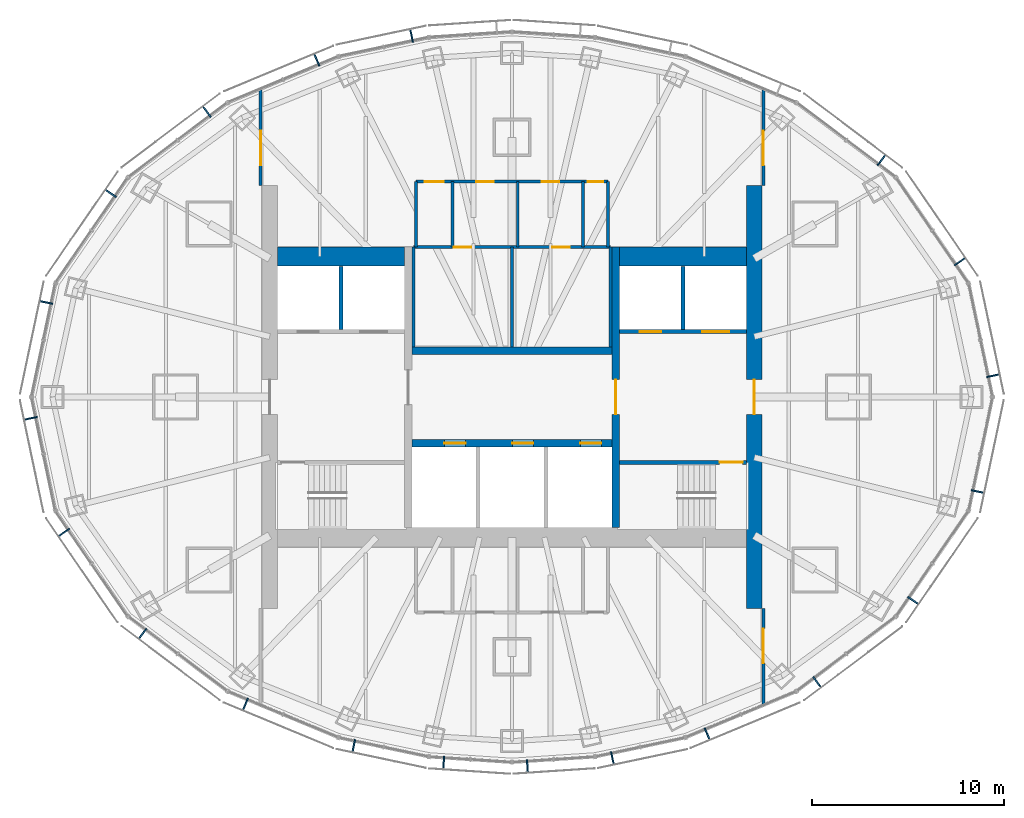
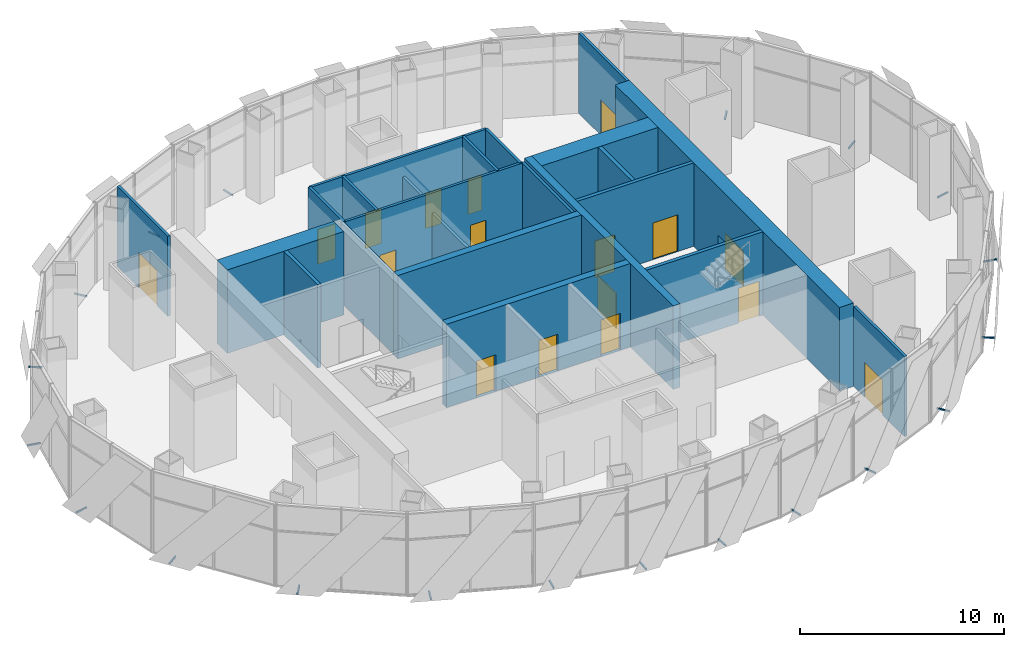
# One storey, part 12 of 17: 23 walls, 20 discrete accessories, 17 doors, 17 openings.
"""IFC4 building model written with IfcOpenShell, lengths in metres."""

from ifc_helpers import new_model, si_unit, direction, frame, frame_2d, origin, origin_2d, place, context, subcontext, project, spatial, rectangle, extrude, material, layer, layer_set, type_object, element, fill, save


model = new_model("IFC4")

# Units and contexts
model_context = context("Model", 3, precision=1e-05, world=origin(), true_north=direction((0.0, 1.0)))
body_context = subcontext(model_context, "Body", "Model", "MODEL_VIEW")
ifc_project = project(units=[si_unit("LENGTHUNIT", "METRE"), si_unit("AREAUNIT", "SQUARE_METRE"), si_unit("VOLUMEUNIT", "CUBIC_METRE"), si_unit("PLANEANGLEUNIT", "RADIAN"), si_unit("MASSUNIT", "GRAM", prefix="KILO")], contexts=[model_context])

# Site, building, storey
site_placement = place(None, origin())
site = spatial("IfcSite", under=ifc_project, at=site_placement, CompositionType="ELEMENT")
building_placement = place(site_placement, origin())
building = spatial("IfcBuilding", under=site, at=building_placement, Name="Lantaw Convention Tower", CompositionType="ELEMENT")
storey_placement = place(building_placement, frame((0.0, 0.0, 279.39990234375)))
storey = spatial("IfcBuildingStorey", under=building, at=storey_placement, Name="L65", CompositionType="ELEMENT", Elevation=279.39990234375)

# Wall, openings, doors
ifc_material_1 = material(Name="Gypsum board on steel studs", Category="steel")
ifc_layer_1 = layer(ifc_material_1, 0.14990234375)
ifc_layer_set_1 = layer_set([ifc_layer_1], Name="Back of house wall 150")
wall_type_1 = type_object("IfcWallType", Name="Back of house wall 150", PredefinedType="PARTITIONING", material=ifc_layer_set_1)
wall_1_placement = place(storey_placement, frame((-5.1201171875, 7.800048828125, 0.0), z_axis=(0.0, 0.0, 1.0), x_axis=(1.0, 0.0, 0.0)))
wall_1 = element("IfcWall", 1, at=wall_1_placement, inside=storey, type_object=wall_type_1, Name="Back of house wall 150", PredefinedType="PARTITIONING", context=body_context, shape_type="SweptSolid", body=[
    extrude(rectangle(XDim=10.240234375, YDim=0.14990234375, at=frame_2d((5.1201171875, 0.0))), origin(), (0.0, 0.0, 1.0), 4.800048828125),
])
opening_1_placement = place(wall_1_placement, frame((2.10009765625, 0.0, 0.0)))
opening_1 = element("IfcOpeningElement", 2, at=opening_1_placement, cuts=wall_1, Name="Opening L65.22", PredefinedType="OPENING", context=body_context, shape_type="SweptSolid", body=[
    extrude(rectangle(XDim=0.89990234375, YDim=2.10009765625, at=frame_2d((0.449951171875, 1.050048828125))), frame((0.0, 0.0849609375, 0.0), z_axis=(0.0, -1.0, 0.0), x_axis=(1.0, 0.0, 0.0)), (0.0, 0.0, 1.0), 0.169921875),
])
opening_2_placement = place(wall_1_placement, frame((7.219970703125, 0.0, 0.0)))
opening_2 = element("IfcOpeningElement", 3, at=opening_2_placement, cuts=wall_1, Name="Opening L65.23", PredefinedType="OPENING", context=body_context, shape_type="SweptSolid", body=[
    extrude(rectangle(XDim=0.89990234375, YDim=2.10009765625, at=frame_2d((0.449951171875, 1.050048828125))), frame((0.0, 0.0849609375, 0.0), z_axis=(0.0, -1.0, 0.0), x_axis=(1.0, 0.0, 0.0)), (0.0, 0.0, 1.0), 0.169921875),
])
ifc_material_2 = material(Name="Timber", Category="wood")
door_type_1 = type_object("IfcDoorType", Name="WC door 900", OperationType="SINGLE_SWING_LEFT", PredefinedType="DOOR", material=ifc_material_2)
door_1_placement = place(opening_1_placement, origin())
door_1 = element("IfcDoor", 4, at=door_1_placement, inside=storey, type_object=door_type_1, Name="IT and comms room door", OperationType="SINGLE_SWING_LEFT", OverallHeight=2.10009765625, OverallWidth=0.89990234375, PredefinedType="DOOR", context=body_context, shape_type="SweptSolid", body=[
    extrude(rectangle(XDim=0.89990234375, YDim=2.10009765625, at=frame_2d((0.449951171875, 1.050048828125))), frame((0.0, 0.02490234375, 0.0), z_axis=(0.0, -1.0, 0.0), x_axis=(1.0, 0.0, 0.0)), (0.0, 0.0, 1.0), 0.050048828125),
])
fill(opening_1, door_1)
door_2_placement = place(opening_2_placement, origin())
door_2 = element("IfcDoor", 5, at=door_2_placement, inside=storey, type_object=door_type_1, Name="Tenant store door", OperationType="SINGLE_SWING_LEFT", OverallHeight=2.10009765625, OverallWidth=0.89990234375, PredefinedType="DOOR", context=body_context, shape_type="SweptSolid", body=[
    extrude(rectangle(XDim=0.89990234375, YDim=2.10009765625, at=frame_2d((0.449951171875, 1.050048828125))), frame((0.0, 0.02490234375, 0.0), z_axis=(0.0, -1.0, 0.0), x_axis=(1.0, 0.0, 0.0)), (0.0, 0.0, 1.0), 0.050048828125),
])
fill(opening_2, door_2)

# Walls
for number, where, z_axis, x_axis, name in (
    (6, (-5.1201171875, 2.60009765625, 0.0), (0.0, 0.0, 1.0), (0.0, 1.0, 0.0), "Back of house wall 150"),
    (7, (5.1201171875, 2.60009765625, 0.0), (0.0, 0.0, 1.0), (0.0, 1.0, 0.0), "Back of house wall 150"),
):
    element("IfcWall", number, at=place(storey_placement, frame(where, z_axis=z_axis, x_axis=x_axis)), inside=storey, type_object=wall_type_1, Name=name, PredefinedType="PARTITIONING", context=body_context, shape_type="SweptSolid", body=[
        extrude(rectangle(XDim=5.199951171875, YDim=0.14990234375, at=frame_2d((2.60009765625, 0.0))), origin(), (0.0, 0.0, 1.0), 4.800048828125),
    ])
wall_2_placement = place(storey_placement, frame((0.0, 2.60009765625, 0.0), z_axis=(0.0, 0.0, 1.0), x_axis=(0.0, 1.0, 0.0)))
element("IfcWall", 8, at=wall_2_placement, inside=storey, type_object=wall_type_1, Name="Back of house wall 150", PredefinedType="PARTITIONING", context=body_context, shape_type="SweptSolid", body=[
    extrude(rectangle(XDim=5.199951171875, YDim=0.14990234375, at=frame_2d((2.60009765625, 0.0))), origin(), (0.0, 0.0, 1.0), 3.60009765625),
])

# Wall, opening, door
ifc_material_3 = material(Name="Gypsum board on steel studs, acoustic", Category="steel")
ifc_layer_2 = layer(ifc_material_3, 0.14990234375)
ifc_layer_set_2 = layer_set([ifc_layer_2], Name="Club partition 150")
wall_type_2 = type_object("IfcWallType", Name="Club partition 150", PredefinedType="PARTITIONING", material=ifc_layer_set_2)
wall_3_placement = place(storey_placement, frame((-13.074951171875, 11.0, 0.0), z_axis=(0.0, 0.0, 1.0), x_axis=(0.0, 1.0, 0.0)))
wall_3 = element("IfcWall", 9, at=wall_3_placement, inside=storey, type_object=wall_type_2, Name="Club partition 150", PredefinedType="PARTITIONING", context=body_context, shape_type="SweptSolid", body=[
    extrude(rectangle(XDim=4.974365234375, YDim=0.14990234375, at=frame_2d((2.4873046875, 0.0))), origin(), (0.0, 0.0, 1.0), 4.800048828125),
])
opening_3_placement = place(wall_3_placement, frame((1.042724609375, 0.0, 0.0)))
opening_3 = element("IfcOpeningElement", 10, at=opening_3_placement, cuts=wall_3, Name="Opening L65.24", PredefinedType="OPENING", context=body_context, shape_type="SweptSolid", body=[
    extrude(rectangle(XDim=1.800048828125, YDim=2.10009765625, at=frame_2d((0.89990234375, 1.050048828125))), frame((0.0, 0.0849609375, 0.0), z_axis=(0.0, -1.0, 0.0), x_axis=(1.0, 0.0, 0.0)), (0.0, 0.0, 1.0), 0.169921875),
])
door_type_2 = type_object("IfcDoorType", Name="Club double door 1800", OperationType="DOUBLE_DOOR_DOUBLE_SWING", PredefinedType="DOOR", material=ifc_material_2)
door_3_placement = place(opening_3_placement, origin())
door_3 = element("IfcDoor", 11, at=door_3_placement, inside=storey, type_object=door_type_2, Name="Door", OperationType="DOUBLE_DOOR_DOUBLE_SWING", OverallHeight=2.10009765625, OverallWidth=1.800048828125, PredefinedType="DOOR", context=body_context, shape_type="SweptSolid", body=[
    extrude(rectangle(XDim=1.800048828125, YDim=2.10009765625, at=frame_2d((0.89990234375, 1.050048828125))), frame((0.0, 0.02490234375, 0.0), z_axis=(0.0, -1.0, 0.0), x_axis=(1.0, 0.0, 0.0)), (0.0, 0.0, 1.0), 0.050048828125),
])
fill(opening_3, door_3)

wall_4_placement = place(storey_placement, frame((13.074951171875, -11.0, 0.0), z_axis=(0.0, 0.0, 1.0), x_axis=(0.0, -1.0, 0.0)))
wall_4 = element("IfcWall", 12, at=wall_4_placement, inside=storey, type_object=wall_type_2, Name="Club partition 150", PredefinedType="PARTITIONING", context=body_context, shape_type="SweptSolid", body=[
    extrude(rectangle(XDim=4.974365234375, YDim=0.14990234375, at=frame_2d((2.4873046875, 0.0))), origin(), (0.0, 0.0, 1.0), 4.800048828125),
])
opening_4_placement = place(wall_4_placement, frame((1.042724609375, 0.0, 0.0)))
opening_4 = element("IfcOpeningElement", 13, at=opening_4_placement, cuts=wall_4, Name="Opening L65.25", PredefinedType="OPENING", context=body_context, shape_type="SweptSolid", body=[
    extrude(rectangle(XDim=1.800048828125, YDim=2.10009765625, at=frame_2d((0.89990234375, 1.050048828125))), frame((0.0, 0.0849609375, 0.0), z_axis=(0.0, -1.0, 0.0), x_axis=(1.0, 0.0, 0.0)), (0.0, 0.0, 1.0), 0.169921875),
])
door_4_placement = place(opening_4_placement, origin())
door_4 = element("IfcDoor", 14, at=door_4_placement, inside=storey, type_object=door_type_2, Name="Door", OperationType="DOUBLE_DOOR_DOUBLE_SWING", OverallHeight=2.10009765625, OverallWidth=1.800048828125, PredefinedType="DOOR", context=body_context, shape_type="SweptSolid", body=[
    extrude(rectangle(XDim=1.800048828125, YDim=2.10009765625, at=frame_2d((0.89990234375, 1.050048828125))), frame((0.0, 0.02490234375, 0.0), z_axis=(0.0, -1.0, 0.0), x_axis=(1.0, 0.0, 0.0)), (0.0, 0.0, 1.0), 0.050048828125),
])
fill(opening_4, door_4)

wall_5_placement = place(storey_placement, frame((13.074951171875, 11.0, 0.0), z_axis=(0.0, 0.0, 1.0), x_axis=(0.0, 1.0, 0.0)))
wall_5 = element("IfcWall", 15, at=wall_5_placement, inside=storey, type_object=wall_type_2, Name="Club partition 150", PredefinedType="PARTITIONING", context=body_context, shape_type="SweptSolid", body=[
    extrude(rectangle(XDim=4.974365234375, YDim=0.14990234375, at=frame_2d((2.4873046875, 0.0))), origin(), (0.0, 0.0, 1.0), 4.800048828125),
])
opening_5_placement = place(wall_5_placement, frame((1.042724609375, 0.0, 0.0)))
opening_5 = element("IfcOpeningElement", 16, at=opening_5_placement, cuts=wall_5, Name="Opening L65.26", PredefinedType="OPENING", context=body_context, shape_type="SweptSolid", body=[
    extrude(rectangle(XDim=1.800048828125, YDim=2.10009765625, at=frame_2d((0.89990234375, 1.050048828125))), frame((0.0, 0.0849609375, 0.0), z_axis=(0.0, -1.0, 0.0), x_axis=(1.0, 0.0, 0.0)), (0.0, 0.0, 1.0), 0.169921875),
])
door_5_placement = place(opening_5_placement, origin())
door_5 = element("IfcDoor", 17, at=door_5_placement, inside=storey, type_object=door_type_2, Name="Door", OperationType="DOUBLE_DOOR_DOUBLE_SWING", OverallHeight=2.10009765625, OverallWidth=1.800048828125, PredefinedType="DOOR", context=body_context, shape_type="SweptSolid", body=[
    extrude(rectangle(XDim=1.800048828125, YDim=2.10009765625, at=frame_2d((0.89990234375, 1.050048828125))), frame((0.0, 0.02490234375, 0.0), z_axis=(0.0, -1.0, 0.0), x_axis=(1.0, 0.0, 0.0)), (0.0, 0.0, 1.0), 0.050048828125),
])
fill(opening_5, door_5)

# Walls
ifc_material_4 = material(Name="Concrete C60/75", Category="concrete")
ifc_layer_3 = layer(ifc_material_4, 1.0)
ifc_layer_set_3 = layer_set([ifc_layer_3], Name="Core wall 1000")
wall_type_3 = type_object("IfcWallType", Name="Core wall 1000", PredefinedType="SHEAR", material=ifc_layer_set_3)
for number, where, z_axis, x_axis, name in (
    (18, (12.199951171875, 7.300048828125, 0.0), (0.0, 0.0, 1.0), (-1.0, 0.0, 0.0), "Core wall NE"),
    (19, (-5.60009765625, 7.300048828125, 0.0), (0.0, 0.0, 1.0), (-1.0, 0.0, 0.0), "Core wall NW"),
):
    element("IfcWall", number, at=place(storey_placement, frame(where, z_axis=z_axis, x_axis=x_axis)), inside=storey, type_object=wall_type_3, Name=name, PredefinedType="SHEAR", context=body_context, shape_type="SweptSolid", body=[
        extrude(rectangle(XDim=6.599853515625, YDim=1.0, at=frame_2d((3.2998046875, 0.0))), origin(), (0.0, 0.0, 1.0), 5.0),
    ])

# Wall, opening, door
ifc_layer_4 = layer(ifc_material_4, 0.199951171875)
ifc_layer_set_4 = layer_set([ifc_layer_4], Name="Core wall 200")
wall_type_4 = type_object("IfcWallType", Name="Core wall 200", PredefinedType="SHEAR", material=ifc_layer_set_4)
wall_6_placement = place(storey_placement, frame((5.60009765625, -3.39990234375, 0.0), z_axis=(0.0, 0.0, 1.0), x_axis=(1.0, 0.0, 0.0)))
wall_6 = element("IfcWall", 20, at=wall_6_placement, inside=storey, type_object=wall_type_4, Name="Core wall ES", PredefinedType="SHEAR", context=body_context, shape_type="SweptSolid", body=[
    extrude(rectangle(XDim=6.599853515625, YDim=0.199951171875, at=frame_2d((3.2998046875, 0.0))), origin(), (0.0, 0.0, 1.0), 5.0),
])
opening_6_placement = place(wall_6_placement, frame((5.199951171875, 0.0, 0.0)))
opening_6 = element("IfcOpeningElement", 21, at=opening_6_placement, cuts=wall_6, Name="Opening L65.03", PredefinedType="OPENING", context=body_context, shape_type="SweptSolid", body=[
    extrude(rectangle(XDim=1.199951171875, YDim=2.10009765625, at=frame_2d((0.60009765625, 1.050048828125))), frame((0.0, 0.10986328125, 0.0), z_axis=(0.0, -1.0, 0.0), x_axis=(1.0, 0.0, 0.0)), (0.0, 0.0, 1.0), 0.219970703125),
])
ifc_material_5 = material(Name="Steel, fire rated", Category="steel")
door_type_3 = type_object("IfcDoorType", Name="Stair door FD90", OperationType="SINGLE_SWING_RIGHT", PredefinedType="DOOR", material=ifc_material_5)
door_6_placement = place(opening_6_placement, origin())
door_6 = element("IfcDoor", 22, at=door_6_placement, inside=storey, type_object=door_type_3, Name="Exit stair door", OperationType="SINGLE_SWING_RIGHT", OverallHeight=2.10009765625, OverallWidth=1.199951171875, PredefinedType="DOOR", context=body_context, shape_type="SweptSolid", body=[
    extrude(rectangle(XDim=1.199951171875, YDim=2.10009765625, at=frame_2d((0.60009765625, 1.050048828125))), frame((0.0, 0.02490234375, 0.0), z_axis=(0.0, -1.0, 0.0), x_axis=(1.0, 0.0, 0.0)), (0.0, 0.0, 1.0), 0.050048828125),
])
fill(opening_6, door_6)

ifc_layer_5 = layer(ifc_material_4, 0.39990234375)
ifc_layer_set_5 = layer_set([ifc_layer_5], Name="Core wall 400")
wall_type_5 = type_object("IfcWallType", Name="Core wall 400", PredefinedType="SHEAR", material=ifc_layer_set_5)
wall_7_placement = place(storey_placement, frame((5.39990234375, -6.800048828125, 0.0), z_axis=(0.0, 0.0, 1.0), x_axis=(0.0, 1.0, 0.0)))
wall_7 = element("IfcWall", 23, at=wall_7_placement, inside=storey, type_object=wall_type_5, Name="Core wall XE", PredefinedType="SHEAR", context=body_context, shape_type="SweptSolid", body=[
    extrude(rectangle(XDim=14.60009765625, YDim=0.39990234375, at=frame_2d((7.300048828125, 0.0))), origin(), (0.0, 0.0, 1.0), 5.0),
])
opening_7_placement = place(wall_7_placement, frame((5.89990234375, 0.0, 0.0)))
opening_7 = element("IfcOpeningElement", 24, at=opening_7_placement, cuts=wall_7, Name="Opening L65.01", PredefinedType="OPENING", context=body_context, shape_type="SweptSolid", body=[
    extrude(rectangle(XDim=1.800048828125, YDim=2.10009765625, at=frame_2d((0.89990234375, 1.050048828125))), frame((0.0, 0.2099609375, 0.0), z_axis=(0.0, -1.0, 0.0), x_axis=(1.0, 0.0, 0.0)), (0.0, 0.0, 1.0), 0.419921875),
])
door_type_4 = type_object("IfcDoorType", Name="Lobby double door FD90", OperationType="DOUBLE_DOOR_DOUBLE_SWING", PredefinedType="DOOR", material=ifc_material_5)
door_7_placement = place(opening_7_placement, origin())
door_7 = element("IfcDoor", 25, at=door_7_placement, inside=storey, type_object=door_type_4, Name="Lift lobby door", OperationType="DOUBLE_DOOR_DOUBLE_SWING", OverallHeight=2.10009765625, OverallWidth=1.800048828125, PredefinedType="DOOR", context=body_context, shape_type="SweptSolid", body=[
    extrude(rectangle(XDim=1.800048828125, YDim=2.10009765625, at=frame_2d((0.89990234375, 1.050048828125))), frame((0.0, 0.02490234375, 0.0), z_axis=(0.0, -1.0, 0.0), x_axis=(1.0, 0.0, 0.0)), (0.0, 0.0, 1.0), 0.050048828125),
])
fill(opening_7, door_7)

# Wall, openings, doors
wall_8_placement = place(storey_placement, frame((-5.199951171875, -2.39990234375, 0.0), z_axis=(0.0, 0.0, 1.0), x_axis=(1.0, 0.0, 0.0)))
wall_8 = element("IfcWall", 26, at=wall_8_placement, inside=storey, type_object=wall_type_5, Name="Core wall BS", PredefinedType="SHEAR", context=body_context, shape_type="SweptSolid", body=[
    extrude(rectangle(XDim=10.39990234375, YDim=0.39990234375, at=frame_2d((5.199951171875, 0.0))), origin(), (0.0, 0.0, 1.0), 5.0),
])
opening_8_placement = place(wall_8_placement, frame((1.683349609375, 0.0, 0.0)))
opening_8 = element("IfcOpeningElement", 27, at=opening_8_placement, cuts=wall_8, Name="Opening L65.07", PredefinedType="OPENING", context=body_context, shape_type="SweptSolid", body=[
    extrude(rectangle(XDim=1.10009765625, YDim=2.199951171875, at=frame_2d((0.550048828125, 1.10009765625))), frame((0.0, 0.2099609375, 0.0), z_axis=(0.0, -1.0, 0.0), x_axis=(1.0, 0.0, 0.0)), (0.0, 0.0, 1.0), 0.419921875),
])
opening_9_placement = place(wall_8_placement, frame((5.216796875, 0.0, 0.0)))
opening_9 = element("IfcOpeningElement", 28, at=opening_9_placement, cuts=wall_8, Name="Opening L65.08", PredefinedType="OPENING", context=body_context, shape_type="SweptSolid", body=[
    extrude(rectangle(XDim=1.10009765625, YDim=2.199951171875, at=frame_2d((0.550048828125, 1.10009765625))), frame((0.0, 0.2099609375, 0.0), z_axis=(0.0, -1.0, 0.0), x_axis=(1.0, 0.0, 0.0)), (0.0, 0.0, 1.0), 0.419921875),
])
opening_10_placement = place(wall_8_placement, frame((8.75, 0.0, 0.0)))
opening_10 = element("IfcOpeningElement", 29, at=opening_10_placement, cuts=wall_8, Name="Opening L65.09", PredefinedType="OPENING", context=body_context, shape_type="SweptSolid", body=[
    extrude(rectangle(XDim=1.10009765625, YDim=2.199951171875, at=frame_2d((0.550048828125, 1.10009765625))), frame((0.0, 0.2099609375, 0.0), z_axis=(0.0, -1.0, 0.0), x_axis=(1.0, 0.0, 0.0)), (0.0, 0.0, 1.0), 0.419921875),
])
ifc_material_6 = material(Name="Stainless steel", Category="steel")
door_type_5 = type_object("IfcDoorType", Name="Lift landing door 1100", OperationType="DOUBLE_DOOR_SLIDING", PredefinedType="DOOR", material=ifc_material_6)
door_8_placement = place(opening_8_placement, origin())
door_8 = element("IfcDoor", 30, at=door_8_placement, inside=storey, type_object=door_type_5, Name="Lift landing door S1", OperationType="DOUBLE_DOOR_SLIDING", OverallHeight=2.199951171875, OverallWidth=1.10009765625, PredefinedType="DOOR", context=body_context, shape_type="SweptSolid", body=[
    extrude(rectangle(XDim=1.10009765625, YDim=2.199951171875, at=frame_2d((0.550048828125, 1.10009765625))), frame((0.0, 0.02490234375, 0.0), z_axis=(0.0, -1.0, 0.0), x_axis=(1.0, 0.0, 0.0)), (0.0, 0.0, 1.0), 0.050048828125),
])
fill(opening_8, door_8)
door_9_placement = place(opening_9_placement, origin())
door_9 = element("IfcDoor", 31, at=door_9_placement, inside=storey, type_object=door_type_5, Name="Lift landing door S2", OperationType="DOUBLE_DOOR_SLIDING", OverallHeight=2.199951171875, OverallWidth=1.10009765625, PredefinedType="DOOR", context=body_context, shape_type="SweptSolid", body=[
    extrude(rectangle(XDim=1.10009765625, YDim=2.199951171875, at=frame_2d((0.550048828125, 1.10009765625))), frame((0.0, 0.02490234375, 0.0), z_axis=(0.0, -1.0, 0.0), x_axis=(1.0, 0.0, 0.0)), (0.0, 0.0, 1.0), 0.050048828125),
])
fill(opening_9, door_9)
door_10_placement = place(opening_10_placement, origin())
door_10 = element("IfcDoor", 32, at=door_10_placement, inside=storey, type_object=door_type_5, Name="Lift landing door S3", OperationType="DOUBLE_DOOR_SLIDING", OverallHeight=2.199951171875, OverallWidth=1.10009765625, PredefinedType="DOOR", context=body_context, shape_type="SweptSolid", body=[
    extrude(rectangle(XDim=1.10009765625, YDim=2.199951171875, at=frame_2d((0.550048828125, 1.10009765625))), frame((0.0, 0.02490234375, 0.0), z_axis=(0.0, -1.0, 0.0), x_axis=(1.0, 0.0, 0.0)), (0.0, 0.0, 1.0), 0.050048828125),
])
fill(opening_10, door_10)

# Wall
wall_9_placement = place(storey_placement, frame((5.199951171875, 2.39990234375, 0.0), z_axis=(0.0, 0.0, 1.0), x_axis=(-1.0, 0.0, 0.0)))
element("IfcWall", 33, at=wall_9_placement, inside=storey, type_object=wall_type_5, Name="Core wall BN", PredefinedType="SHEAR", context=body_context, shape_type="SweptSolid", body=[
    extrude(rectangle(XDim=10.39990234375, YDim=0.39990234375, at=frame_2d((5.199951171875, 0.0))), origin(), (0.0, 0.0, 1.0), 5.0),
])

# Wall, opening, door
ifc_layer_6 = layer(ifc_material_4, 0.800048828125)
ifc_layer_set_6 = layer_set([ifc_layer_6], Name="Core wall 800")
wall_type_6 = type_object("IfcWallType", Name="Core wall 800", PredefinedType="SHEAR", material=ifc_layer_set_6)
wall_10_placement = place(storey_placement, frame((12.60009765625, -11.0, 0.0), z_axis=(0.0, 0.0, 1.0), x_axis=(0.0, 1.0, 0.0)))
wall_10 = element("IfcWall", 34, at=wall_10_placement, inside=storey, type_object=wall_type_6, Name="Core wall E", PredefinedType="SHEAR", context=body_context, shape_type="SweptSolid", body=[
    extrude(rectangle(XDim=22.0, YDim=0.800048828125, at=frame_2d((11.0, 0.0))), origin(), (0.0, 0.0, 1.0), 5.0),
])
opening_11_placement = place(wall_10_placement, frame((10.10009765625, 0.0, 0.0)))
opening_11 = element("IfcOpeningElement", 35, at=opening_11_placement, cuts=wall_10, Name="Opening L65.05", PredefinedType="OPENING", context=body_context, shape_type="SweptSolid", body=[
    extrude(rectangle(XDim=1.800048828125, YDim=2.10009765625, at=frame_2d((0.89990234375, 1.050048828125))), frame((0.0, 0.409912109375, 0.0), z_axis=(0.0, -1.0, 0.0), x_axis=(1.0, 0.0, 0.0)), (0.0, 0.0, 1.0), 0.820068359375),
])
door_11_placement = place(opening_11_placement, origin())
door_11 = element("IfcDoor", 36, at=door_11_placement, inside=storey, type_object=door_type_4, Name="Firefighting lobby door", OperationType="DOUBLE_DOOR_DOUBLE_SWING", OverallHeight=2.10009765625, OverallWidth=1.800048828125, PredefinedType="DOOR", context=body_context, shape_type="SweptSolid", body=[
    extrude(rectangle(XDim=1.800048828125, YDim=2.10009765625, at=frame_2d((0.89990234375, 1.050048828125))), frame((0.0, 0.02490234375, 0.0), z_axis=(0.0, -1.0, 0.0), x_axis=(1.0, 0.0, 0.0)), (0.0, 0.0, 1.0), 0.050048828125),
])
fill(opening_11, door_11)

# Wall, openings, doors
ifc_material_7 = material(Name="Concrete blockwork, fire rated", Category="masonry")
ifc_layer_7 = layer(ifc_material_7, 0.199951171875)
ifc_layer_set_7 = layer_set([ifc_layer_7], Name="Shaft wall 200")
wall_type_7 = type_object("IfcWallType", Name="Shaft wall 200", PredefinedType="SOLIDWALL", material=ifc_layer_set_7)
wall_11_placement = place(storey_placement, frame((12.199951171875, 3.39990234375, 0.0), z_axis=(0.0, 0.0, 1.0), x_axis=(-1.0, 0.0, 0.0)))
wall_11 = element("IfcWall", 37, at=wall_11_placement, inside=storey, type_object=wall_type_7, Name="Shaft wall EN", PredefinedType="SOLIDWALL", context=body_context, shape_type="SweptSolid", body=[
    extrude(rectangle(XDim=6.599853515625, YDim=0.199951171875, at=frame_2d((3.2998046875, 0.0))), origin(), (0.0, 0.0, 1.0), 5.0),
])
opening_12_placement = place(wall_11_placement, frame((4.449951171875, 0.0, 0.0)))
opening_12 = element("IfcOpeningElement", 38, at=opening_12_placement, cuts=wall_11, Name="Opening L65.12", PredefinedType="OPENING", context=body_context, shape_type="SweptSolid", body=[
    extrude(rectangle(XDim=1.10009765625, YDim=2.199951171875, at=frame_2d((0.550048828125, 1.10009765625))), frame((0.0, 0.10986328125, 0.0), z_axis=(0.0, -1.0, 0.0), x_axis=(1.0, 0.0, 0.0)), (0.0, 0.0, 1.0), 0.219970703125),
])
opening_13_placement = place(wall_11_placement, frame((0.89990234375, 0.0, 0.0)))
opening_13 = element("IfcOpeningElement", 39, at=opening_13_placement, cuts=wall_11, Name="Opening L65.13", PredefinedType="OPENING", context=body_context, shape_type="SweptSolid", body=[
    extrude(rectangle(XDim=1.39990234375, YDim=2.199951171875, at=frame_2d((0.699951171875, 1.10009765625))), frame((0.0, 0.10986328125, 0.0), z_axis=(0.0, -1.0, 0.0), x_axis=(1.0, 0.0, 0.0)), (0.0, 0.0, 1.0), 0.219970703125),
])
door_12_placement = place(opening_12_placement, origin())
door_12 = element("IfcDoor", 40, at=door_12_placement, inside=storey, type_object=door_type_5, Name="Lift landing door FF2", OperationType="DOUBLE_DOOR_SLIDING", OverallHeight=2.199951171875, OverallWidth=1.10009765625, PredefinedType="DOOR", context=body_context, shape_type="SweptSolid", body=[
    extrude(rectangle(XDim=1.10009765625, YDim=2.199951171875, at=frame_2d((0.550048828125, 1.10009765625))), frame((0.0, 0.02490234375, 0.0), z_axis=(0.0, -1.0, 0.0), x_axis=(1.0, 0.0, 0.0)), (0.0, 0.0, 1.0), 0.050048828125),
])
fill(opening_12, door_12)
door_type_6 = type_object("IfcDoorType", Name="Lift landing door 1400", OperationType="DOUBLE_DOOR_SLIDING", PredefinedType="DOOR", material=ifc_material_6)
door_13_placement = place(opening_13_placement, origin())
door_13 = element("IfcDoor", 41, at=door_13_placement, inside=storey, type_object=door_type_6, Name="Lift landing door SV2", OperationType="DOUBLE_DOOR_SLIDING", OverallHeight=2.199951171875, OverallWidth=1.39990234375, PredefinedType="DOOR", context=body_context, shape_type="SweptSolid", body=[
    extrude(rectangle(XDim=1.39990234375, YDim=2.199951171875, at=frame_2d((0.699951171875, 1.10009765625))), frame((0.0, 0.02490234375, 0.0), z_axis=(0.0, -1.0, 0.0), x_axis=(1.0, 0.0, 0.0)), (0.0, 0.0, 1.0), 0.050048828125),
])
fill(opening_13, door_13)

# Walls
for number, where, z_axis, x_axis, name in (
    (42, (8.89990234375, 3.5, 0.0), (0.0, 0.0, 1.0), (0.0, 1.0, 0.0), "Shaft wall ED"),
    (43, (-8.89990234375, 3.5, 0.0), (0.0, 0.0, 1.0), (0.0, 1.0, 0.0), "Shaft wall WD"),
):
    element("IfcWall", number, at=place(storey_placement, frame(where, z_axis=z_axis, x_axis=x_axis)), inside=storey, type_object=wall_type_7, Name=name, PredefinedType="SOLIDWALL", context=body_context, shape_type="SweptSolid", body=[
        extrude(rectangle(XDim=3.300048828125, YDim=0.199951171875, at=frame_2d((1.64990234375, 0.0))), origin(), (0.0, 0.0, 1.0), 5.0),
    ])

# Wall, openings, doors
ifc_material_8 = material(Name="Concrete blockwork", Category="masonry")
ifc_layer_8 = layer(ifc_material_8, 0.14990234375)
ifc_layer_set_8 = layer_set([ifc_layer_8], Name="WC wall 150")
wall_type_8 = type_object("IfcWallType", Name="WC wall 150", PredefinedType="SOLIDWALL", material=ifc_layer_set_8)
wall_12_placement = place(storey_placement, frame((-5.0, 11.199951171875, 0.0), z_axis=(0.0, 0.0, 1.0), x_axis=(1.0, 0.0, 0.0)))
wall_12 = element("IfcWall", 44, at=wall_12_placement, inside=storey, type_object=wall_type_8, Name="WC wall 150", PredefinedType="SOLIDWALL", context=body_context, shape_type="SweptSolid", body=[
    extrude(rectangle(XDim=10.0, YDim=0.14990234375, at=frame_2d((5.0, 0.0))), origin(), (0.0, 0.0, 1.0), 4.800048828125),
])
opening_14_placement = place(wall_12_placement, frame((0.449951171875, 0.0, 0.0)))
opening_14 = element("IfcOpeningElement", 45, at=opening_14_placement, cuts=wall_12, Name="Opening L65.14", PredefinedType="OPENING", context=body_context, shape_type="SweptSolid", body=[
    extrude(rectangle(XDim=1.0, YDim=2.10009765625, at=frame_2d((0.5, 1.050048828125))), frame((0.0, 0.0849609375, 0.0), z_axis=(0.0, -1.0, 0.0), x_axis=(1.0, 0.0, 0.0)), (0.0, 0.0, 1.0), 0.169921875),
])
opening_15_placement = place(wall_12_placement, frame((3.14990234375, 0.0, 0.0)))
opening_15 = element("IfcOpeningElement", 46, at=opening_15_placement, cuts=wall_12, Name="Opening L65.15", PredefinedType="OPENING", context=body_context, shape_type="SweptSolid", body=[
    extrude(rectangle(XDim=0.89990234375, YDim=2.10009765625, at=frame_2d((0.449951171875, 1.050048828125))), frame((0.0, 0.0849609375, 0.0), z_axis=(0.0, -1.0, 0.0), x_axis=(1.0, 0.0, 0.0)), (0.0, 0.0, 1.0), 0.169921875),
])
opening_16_placement = place(wall_12_placement, frame((6.550048828125, 0.0, 0.0)))
opening_16 = element("IfcOpeningElement", 47, at=opening_16_placement, cuts=wall_12, Name="Opening L65.16", PredefinedType="OPENING", context=body_context, shape_type="SweptSolid", body=[
    extrude(rectangle(XDim=0.89990234375, YDim=2.10009765625, at=frame_2d((0.449951171875, 1.050048828125))), frame((0.0, 0.0849609375, 0.0), z_axis=(0.0, -1.0, 0.0), x_axis=(1.0, 0.0, 0.0)), (0.0, 0.0, 1.0), 0.169921875),
])
opening_17_placement = place(wall_12_placement, frame((8.949951171875, 0.0, 0.0)))
opening_17 = element("IfcOpeningElement", 48, at=opening_17_placement, cuts=wall_12, Name="Opening L65.17", PredefinedType="OPENING", context=body_context, shape_type="SweptSolid", body=[
    extrude(rectangle(XDim=0.800048828125, YDim=2.10009765625, at=frame_2d((0.39990234375, 1.050048828125))), frame((0.0, 0.0849609375, 0.0), z_axis=(0.0, -1.0, 0.0), x_axis=(1.0, 0.0, 0.0)), (0.0, 0.0, 1.0), 0.169921875),
])
door_type_7 = type_object("IfcDoorType", Name="Accessible WC door 1000", OperationType="SINGLE_SWING_LEFT", PredefinedType="DOOR", material=ifc_material_2)
door_14_placement = place(opening_14_placement, origin())
door_14 = element("IfcDoor", 49, at=door_14_placement, inside=storey, type_object=door_type_7, Name="Accessible WC door", OperationType="SINGLE_SWING_LEFT", OverallHeight=2.10009765625, OverallWidth=1.0, PredefinedType="DOOR", context=body_context, shape_type="SweptSolid", body=[
    extrude(rectangle(XDim=1.0, YDim=2.10009765625, at=frame_2d((0.5, 1.050048828125))), frame((0.0, 0.02490234375, 0.0), z_axis=(0.0, -1.0, 0.0), x_axis=(1.0, 0.0, 0.0)), (0.0, 0.0, 1.0), 0.050048828125),
])
fill(opening_14, door_14)
door_type_8 = type_object("IfcDoorType", Name="WC door 800", OperationType="SINGLE_SWING_LEFT", PredefinedType="DOOR", material=ifc_material_2)
door_15_placement = place(opening_17_placement, origin())
door_15 = element("IfcDoor", 50, at=door_15_placement, inside=storey, type_object=door_type_8, Name="Cleaner's store door", OperationType="SINGLE_SWING_LEFT", OverallHeight=2.10009765625, OverallWidth=0.800048828125, PredefinedType="DOOR", context=body_context, shape_type="SweptSolid", body=[
    extrude(rectangle(XDim=0.800048828125, YDim=2.10009765625, at=frame_2d((0.39990234375, 1.050048828125))), frame((0.0, 0.02490234375, 0.0), z_axis=(0.0, -1.0, 0.0), x_axis=(1.0, 0.0, 0.0)), (0.0, 0.0, 1.0), 0.050048828125),
])
fill(opening_17, door_15)
door_16_placement = place(opening_15_placement, origin())
door_16 = element("IfcDoor", 51, at=door_16_placement, inside=storey, type_object=door_type_1, Name="Male WC door", OperationType="SINGLE_SWING_LEFT", OverallHeight=2.10009765625, OverallWidth=0.89990234375, PredefinedType="DOOR", context=body_context, shape_type="SweptSolid", body=[
    extrude(rectangle(XDim=0.89990234375, YDim=2.10009765625, at=frame_2d((0.449951171875, 1.050048828125))), frame((0.0, 0.02490234375, 0.0), z_axis=(0.0, -1.0, 0.0), x_axis=(1.0, 0.0, 0.0)), (0.0, 0.0, 1.0), 0.050048828125),
])
fill(opening_15, door_16)
door_17_placement = place(opening_16_placement, origin())
door_17 = element("IfcDoor", 52, at=door_17_placement, inside=storey, type_object=door_type_1, Name="Female WC door", OperationType="SINGLE_SWING_LEFT", OverallHeight=2.10009765625, OverallWidth=0.89990234375, PredefinedType="DOOR", context=body_context, shape_type="SweptSolid", body=[
    extrude(rectangle(XDim=0.89990234375, YDim=2.10009765625, at=frame_2d((0.449951171875, 1.050048828125))), frame((0.0, 0.02490234375, 0.0), z_axis=(0.0, -1.0, 0.0), x_axis=(1.0, 0.0, 0.0)), (0.0, 0.0, 1.0), 0.050048828125),
])
fill(opening_16, door_17)

# Walls
for number, where, z_axis, x_axis, name in (
    (53, (-5.0, 7.800048828125, 0.0), (0.0, 0.0, 1.0), (0.0, 1.0, 0.0), "WC wall 150"),
    (54, (5.0, 7.800048828125, 0.0), (0.0, 0.0, 1.0), (0.0, 1.0, 0.0), "WC wall 150"),
    (55, (-3.10009765625, 7.800048828125, 0.0), (0.0, 0.0, 1.0), (0.0, 1.0, 0.0), "WC wall 150"),
):
    element("IfcWall", number, at=place(storey_placement, frame(where, z_axis=z_axis, x_axis=x_axis)), inside=storey, type_object=wall_type_8, Name=name, PredefinedType="SOLIDWALL", context=body_context, shape_type="SweptSolid", body=[
        extrude(rectangle(XDim=3.39990234375, YDim=0.14990234375, at=frame_2d((1.699951171875, 0.0))), origin(), (0.0, 0.0, 1.0), 4.800048828125),
    ])
wall_13_placement = place(storey_placement, frame((0.300048828125, 7.800048828125, 0.0), z_axis=(0.0, 0.0, 1.0), x_axis=(0.0, 1.0, 0.0)))
element("IfcWall", 56, at=wall_13_placement, inside=storey, type_object=wall_type_8, Name="WC wall 150", PredefinedType="SOLIDWALL", context=body_context, shape_type="SweptSolid", body=[
    extrude(rectangle(XDim=3.39990234375, YDim=0.14990234375, at=frame_2d((1.699951171875, 0.0))), origin(), (0.0, 0.0, 1.0), 3.60009765625),
])
wall_14_placement = place(storey_placement, frame((3.699951171875, 7.800048828125, 0.0), z_axis=(0.0, 0.0, 1.0), x_axis=(0.0, 1.0, 0.0)))
element("IfcWall", 57, at=wall_14_placement, inside=storey, type_object=wall_type_8, Name="WC wall 150", PredefinedType="SOLIDWALL", context=body_context, shape_type="SweptSolid", body=[
    extrude(rectangle(XDim=3.39990234375, YDim=0.14990234375, at=frame_2d((1.699951171875, 0.0))), origin(), (0.0, 0.0, 1.0), 4.800048828125),
])

# Discrete accessories
for number, where, z_axis, x_axis, name in (
    (58, (25.031494140625, 1.109130859375, -0.114990234375), (0.0, 0.0, 1.0), (-0.205814054946, 0.978591117263, 0.0), "Screen bracket"),
    (59, (23.29833984375, 7.044677734375, -0.114990234375), (0.0, 0.0, 1.0), (-0.565934832921, 0.824449977189, 0.0), "Screen bracket"),
    (60, (19.21533203125, 12.318115234375, -0.114990234375), (0.0, 0.0, 1.0), (-0.799517528732, 0.600642756762, 0.0), "Screen bracket"),
    (61, (-5.22314453125, 18.787841796875, -0.114990234375), (0.0, 0.0, 1.0), (-0.978332497083, -0.207039911975, 0.0), "Screen bracket"),
    (62, (-10.1533203125, 17.52978515625, -0.114990234375), (0.0, 0.0, 1.0), (-0.923141777124, -0.384459697924, 0.0), "Screen bracket"),
    (63, (-15.86962890625, 14.83154296875, -0.114990234375), (0.0, 0.0, 1.0), (-0.799517528732, -0.600642756762, 0.0), "Screen bracket"),
    (64, (-20.864990234375, 10.58935546875, -0.114990234375), (0.0, 0.0, 1.0), (-0.565934832921, -0.824449977189, 0.0), "Screen bracket"),
    (65, (-24.22998046875, 4.920166015625, -0.114990234375), (0.0, 0.0, 1.0), (-0.205814054946, -0.978591117263, 0.0), "Screen bracket"),
    (66, (-25.031494140625, -1.109130859375, -0.114990234375), (0.0, 0.0, 1.0), (0.205814054946, -0.978591117263, 0.0), "Screen bracket"),
    (67, (-23.29833984375, -7.044677734375, -0.114990234375), (0.0, 0.0, 1.0), (0.565934832921, -0.824449977189, 0.0), "Screen bracket"),
    (68, (-19.21533203125, -12.318115234375, -0.114990234375), (0.0, 0.0, 1.0), (0.799517528732, -0.600642756762, 0.0), "Screen bracket"),
    (69, (-13.865234375, -15.98388671875, -0.114990234375), (0.0, 0.0, 1.0), (0.923141777124, -0.384459697924, 0.0), "Screen bracket"),
    (70, (-8.232177734375, -18.151123046875, -0.114990234375), (0.0, 0.0, 1.0), (0.978332497083, -0.207039911975, 0.0), "Screen bracket"),
    (71, (-3.55322265625, -19.0244140625, -0.114990234375), (0.0, 0.0, 1.0), (0.997817975525, -0.066024902273, 0.0), "Screen bracket"),
    (72, (0.801513671875, -19.20654296875, -0.114990234375), (0.0, 0.0, 1.0), (0.997817975525, 0.066024902273, 0.0), "Screen bracket"),
    (73, (5.22314453125, -18.787841796875, -0.114990234375), (0.0, 0.0, 1.0), (0.978332497083, 0.207039911975, 0.0), "Screen bracket"),
    (74, (10.1533203125, -17.52978515625, -0.114990234375), (0.0, 0.0, 1.0), (0.923141777124, 0.384459697924, 0.0), "Screen bracket"),
    (75, (15.86962890625, -14.83154296875, -0.114990234375), (0.0, 0.0, 1.0), (0.799517528732, 0.600642756762, 0.0), "Screen bracket"),
    (76, (20.864990234375, -10.58935546875, -0.114990234375), (0.0, 0.0, 1.0), (0.565934832921, 0.824449977189, 0.0), "Screen bracket"),
    (77, (24.22998046875, -4.920166015625, -0.114990234375), (0.0, 0.0, 1.0), (0.205814054946, 0.978591117263, 0.0), "Screen bracket"),
):
    element("IfcDiscreteAccessory", number, at=place(storey_placement, frame(where, z_axis=z_axis, x_axis=x_axis)), inside=storey, Name=name, PredefinedType="BRACKET", context=body_context, shape_type="SweptSolid", body=[
        extrude(rectangle(XDim=0.080078125, YDim=0.68798828125, at=origin_2d()), origin(), (0.0, 0.0, 1.0), 0.080078125),
    ])

save(model, "model.ifc")
